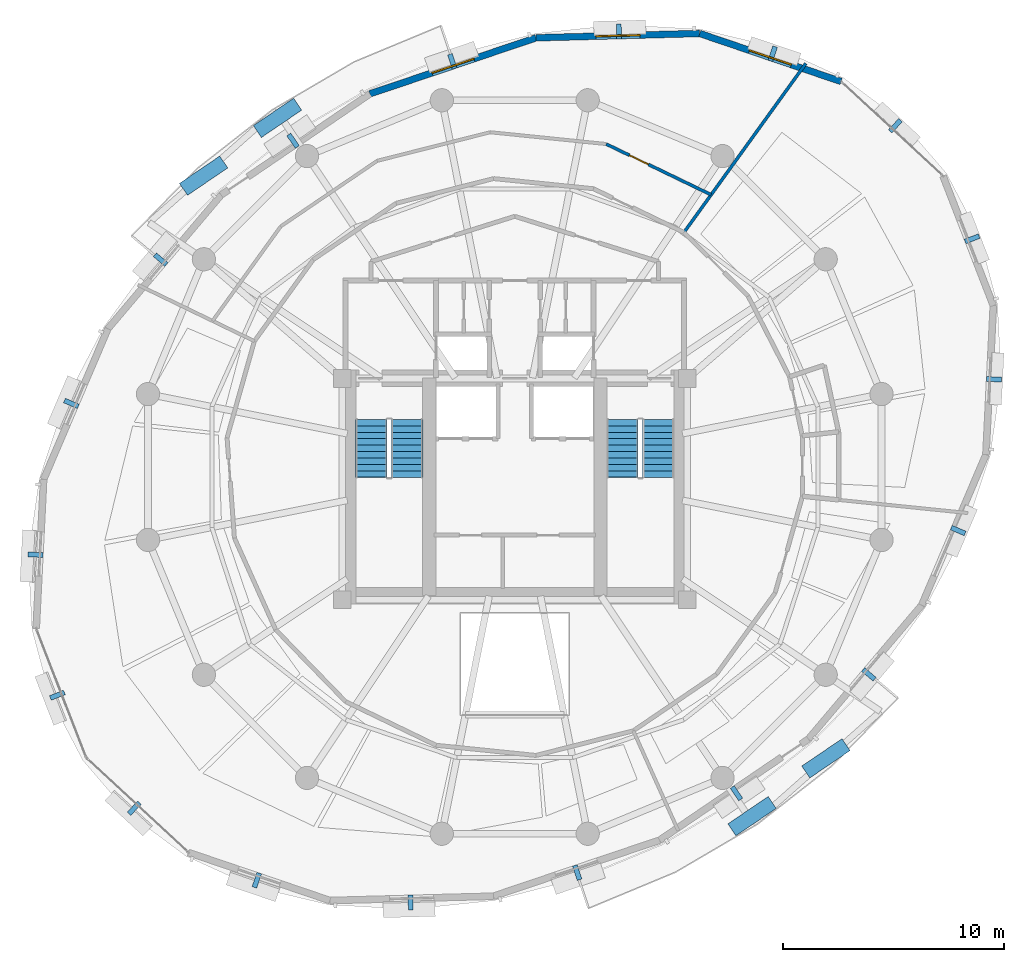
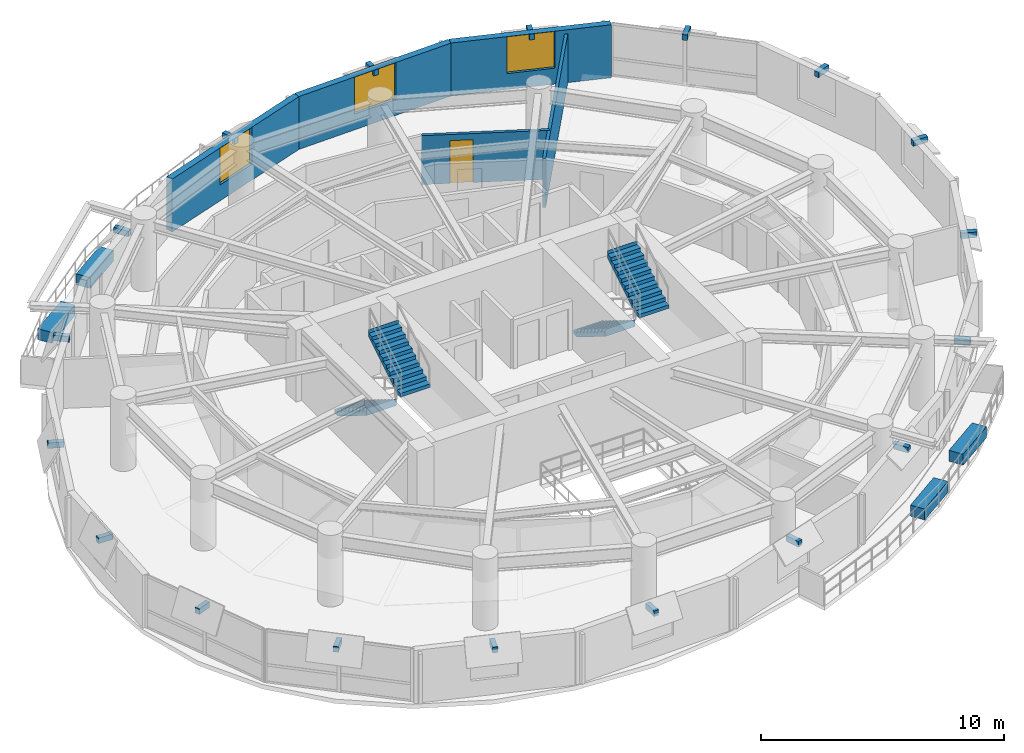
# One storey, part 10 of 12: 22 discrete accessories, 5 walls, 4 stair flights, 3 windows, 1 door, 4 openings, 2 elements without a shape of their own.
"""IFC4 building model written with IfcOpenShell, lengths in metres."""

from ifc_helpers import new_model, si_unit, direction, frame, frame_2d, origin, origin_2d, place, context, subcontext, project, spatial, polyline, rectangle, outline, extrude, material, layer, layer_set, type_object, element, fill, aggregate, save


model = new_model("IFC4")

# Units and contexts
model_context = context("Model", 3, precision=1e-05, world=origin(), true_north=direction((0.0, 1.0)))
body_context = subcontext(model_context, "Body", "Model", "MODEL_VIEW")
ifc_project = project(units=[si_unit("LENGTHUNIT", "METRE"), si_unit("AREAUNIT", "SQUARE_METRE"), si_unit("VOLUMEUNIT", "CUBIC_METRE"), si_unit("PLANEANGLEUNIT", "RADIAN"), si_unit("MASSUNIT", "GRAM", prefix="KILO"), si_unit("THERMODYNAMICTEMPERATUREUNIT", "KELVIN"), si_unit("POWERUNIT", "WATT")], contexts=[model_context])

# Site, building, storey
site_placement = place(None, origin())
site = spatial("IfcSite", under=ifc_project, at=site_placement, CompositionType="ELEMENT")
building_placement = place(site_placement, origin())
building = spatial("IfcBuilding", under=site, at=building_placement, Name="Ocrelia Relay Tower", CompositionType="ELEMENT")
storey_placement = place(building_placement, frame((0.0, 0.0, 177.199951171875)))
storey = spatial("IfcBuildingStorey", under=building, at=storey_placement, Name="L42", CompositionType="ELEMENT", Elevation=177.199951171875)

# Wall, opening, window
ifc_material_1 = material(Name="Precast concrete C40/50 with oxide terracotta", Category="masonry")
ifc_layer_1 = layer(ifc_material_1, 0.300048828125, Name="Precast concrete C40/50 with oxide terracotta")
ifc_layer_set_1 = layer_set([ifc_layer_1], Name="Precast concrete C40/50 with oxide terracotta")
wall_type_1 = type_object("IfcWallType", Name="W-EXT-TERR-300", PredefinedType="SOLIDWALL", material=ifc_layer_set_1)
wall_1_placement = place(storey_placement, frame((48.745361328125, 43.423095703125, 0.0), z_axis=(0.0, 0.0, 1.0), x_axis=(-0.946902174018, 0.321521807721, 0.0)))
wall_1 = element("IfcWall", 1, at=wall_1_placement, inside=storey, type_object=wall_type_1, Name="L42 Oxide Terracotta Facade Wall 02", PredefinedType="SOLIDWALL", context=body_context, shape_type="SweptSolid", body=[
    extrude(rectangle(XDim=6.7451171875, YDim=0.300048828125, at=frame_2d((3.37255859375, 0.0))), origin(), (0.0, 0.0, 1.0), 2.66015625),
])
opening_1_placement = place(wall_1_placement, frame((2.373046875, 0.0, 0.800048828125)))
opening_1 = element("IfcOpeningElement", 2, at=opening_1_placement, cuts=wall_1, Name="Opening W-03", PredefinedType="OPENING", context=body_context, shape_type="SweptSolid", body=[
    extrude(rectangle(XDim=2.0, YDim=1.85009765625, at=frame_2d((1.0, 0.925048828125))), frame((0.0, 0.16015625, 0.0), z_axis=(0.0, -1.0, 0.0), x_axis=(1.0, 0.0, 0.0)), (0.0, 0.0, 1.0), 0.320068359375),
])
ifc_material_2 = material(Name="Clear double-glazed low-E glass", Category="glass")
window_type = type_object("IfcWindowType", Name="WIN-Z3-2000x2200", PartitioningType="DOUBLE_PANEL_VERTICAL", PredefinedType="WINDOW", material=ifc_material_2)
window_1_placement = place(opening_1_placement, origin())
window_1 = element("IfcWindow", 3, at=window_1_placement, inside=storey, type_object=window_type, Name="L42 Facade Module Window 02", OverallHeight=1.85009765625, OverallWidth=2.0, PartitioningType="SINGLE_PANEL", PredefinedType="WINDOW", context=body_context, shape_type="SweptSolid", body=[
    extrude(rectangle(XDim=2.0, YDim=1.85009765625, at=frame_2d((1.0, 0.925048828125))), frame((0.0, 0.030029296875, 0.0), z_axis=(0.0, -1.0, 0.0), x_axis=(1.0, 0.0, 0.0)), (0.0, 0.0, 1.0), 0.06005859375),
])
fill(opening_1, window_1)

wall_2_placement = place(storey_placement, frame((42.3583984375, 45.591796875, 0.0), z_axis=(0.0, 0.0, 1.0), x_axis=(-0.999655744088, -0.026237250464, 0.0)))
wall_2 = element("IfcWall", 4, at=wall_2_placement, inside=storey, type_object=wall_type_1, Name="L42 Oxide Terracotta Facade Wall 03", PredefinedType="SOLIDWALL", context=body_context, shape_type="SweptSolid", body=[
    extrude(rectangle(XDim=7.3974609375, YDim=0.300048828125, at=frame_2d((3.69873046875, 0.0))), origin(), (0.0, 0.0, 1.0), 2.66015625),
])
opening_2_placement = place(wall_2_placement, frame((2.698974609375, 0.0, 0.800048828125)))
opening_2 = element("IfcOpeningElement", 5, at=opening_2_placement, cuts=wall_2, Name="Opening W-03", PredefinedType="OPENING", context=body_context, shape_type="SweptSolid", body=[
    extrude(rectangle(XDim=2.0, YDim=1.85009765625, at=frame_2d((1.0, 0.925048828125))), frame((0.0, 0.16015625, 0.0), z_axis=(0.0, -1.0, 0.0), x_axis=(1.0, 0.0, 0.0)), (0.0, 0.0, 1.0), 0.320068359375),
])
window_2_placement = place(opening_2_placement, origin())
window_2 = element("IfcWindow", 6, at=window_2_placement, inside=storey, type_object=window_type, Name="L42 Facade Module Window 03", OverallHeight=1.85009765625, OverallWidth=2.0, PartitioningType="SINGLE_PANEL", PredefinedType="WINDOW", context=body_context, shape_type="SweptSolid", body=[
    extrude(rectangle(XDim=2.0, YDim=1.85009765625, at=frame_2d((1.0, 0.925048828125))), frame((0.0, 0.030029296875, 0.0), z_axis=(0.0, -1.0, 0.0), x_axis=(1.0, 0.0, 0.0)), (0.0, 0.0, 1.0), 0.06005859375),
])
fill(opening_2, window_2)

wall_3_placement = place(storey_placement, frame((34.96337890625, 45.397705078125, 0.0), z_axis=(0.0, 0.0, 1.0), x_axis=(-0.9475313485, -0.319662859291, 0.0)))
wall_3 = element("IfcWall", 7, at=wall_3_placement, inside=storey, type_object=wall_type_1, Name="L42 Oxide Terracotta Facade Wall 04", PredefinedType="SOLIDWALL", context=body_context, shape_type="SweptSolid", body=[
    extrude(rectangle(XDim=7.927001953125, YDim=0.300048828125, at=frame_2d((3.96337890625, 0.0))), origin(), (0.0, 0.0, 1.0), 2.66015625),
])
opening_3_placement = place(wall_3_placement, frame((2.964111328125, 0.0, 0.800048828125)))
opening_3 = element("IfcOpeningElement", 8, at=opening_3_placement, cuts=wall_3, Name="Opening W-03", PredefinedType="OPENING", context=body_context, shape_type="SweptSolid", body=[
    extrude(rectangle(XDim=2.0, YDim=1.85009765625, at=frame_2d((1.0, 0.925048828125))), frame((0.0, 0.16015625, 0.0), z_axis=(0.0, -1.0, 0.0), x_axis=(1.0, 0.0, 0.0)), (0.0, 0.0, 1.0), 0.320068359375),
])
window_3_placement = place(opening_3_placement, origin())
window_3 = element("IfcWindow", 9, at=window_3_placement, inside=storey, type_object=window_type, Name="L42 Facade Module Window 04", OverallHeight=1.85009765625, OverallWidth=2.0, PartitioningType="SINGLE_PANEL", PredefinedType="WINDOW", context=body_context, shape_type="SweptSolid", body=[
    extrude(rectangle(XDim=2.0, YDim=1.85009765625, at=frame_2d((1.0, 0.925048828125))), frame((0.0, 0.030029296875, 0.0), z_axis=(0.0, -1.0, 0.0), x_axis=(1.0, 0.0, 0.0)), (0.0, 0.0, 1.0), 0.06005859375),
])
fill(opening_3, window_3)

# Wall
ifc_material_3 = material(Name="Acoustic Fireboard Partition EI60", Category="gypsum")
ifc_layer_2 = layer(ifc_material_3, 0.139892578125, Name="Acoustic Fireboard Partition EI60")
ifc_layer_set_2 = layer_set([ifc_layer_2], Name="Acoustic Fireboard Partition EI60")
wall_type_2 = type_object("IfcWallType", Name="W-PART-140", PredefinedType="PARTITIONING", material=ifc_layer_set_2)
wall_4_placement = place(storey_placement, frame((41.6455078125, 36.6005859375, 0.0), z_axis=(0.0, 0.0, 1.0), x_axis=(0.584952729626, 0.811067385673, 0.0)))
element("IfcWall", 10, at=wall_4_placement, inside=storey, type_object=wall_type_2, Name="L42 Project Meeting Room Radial Partition", PredefinedType="PARTITIONING", context=body_context, shape_type="SweptSolid", body=[
    extrude(rectangle(XDim=9.416259765625, YDim=0.139892578125, at=frame_2d((4.7080078125, 0.0))), origin(), (0.0, 0.0, 1.0), 2.4599609375),
])

# Wall, opening, door
wall_5_placement = place(storey_placement, frame((42.873779296875, 38.3037109375, 0.0), z_axis=(0.0, 0.0, 1.0), x_axis=(-0.900316268351, 0.435236277144, 0.0)))
wall_5 = element("IfcWall", 11, at=wall_5_placement, inside=storey, type_object=wall_type_2, Name="L42 Perimeter Cybersecurity Conference Room Mid-Ring Partition 1", PredefinedType="PARTITIONING", context=body_context, shape_type="SweptSolid", body=[
    extrude(rectangle(XDim=5.268310546875, YDim=0.139892578125, at=frame_2d((2.63427734375, 0.0))), origin(), (0.0, 0.0, 1.0), 2.4599609375),
])
opening_4_placement = place(wall_5_placement, frame((3.14892578125, 0.0, 0.0)))
opening_4 = element("IfcOpeningElement", 12, at=opening_4_placement, cuts=wall_5, Name="Opening D-RM95", PredefinedType="OPENING", context=body_context, shape_type="SweptSolid", body=[
    extrude(rectangle(XDim=0.949951171875, YDim=2.14990234375, at=frame_2d((0.47509765625, 1.074951171875))), frame((0.0, 0.080078125, 0.0), z_axis=(0.0, -1.0, 0.0), x_axis=(1.0, 0.0, 0.0)), (0.0, 0.0, 1.0), 0.159912109375),
])
ifc_material_4 = material(Name="Acoustic oak veneer fire door", Category="wood")
door_type = type_object("IfcDoorType", Name="DR-ROOM-950", OperationType="NOTDEFINED", PredefinedType="DOOR", material=ifc_material_4)
door_placement = place(opening_4_placement, origin())
door = element("IfcDoor", 13, at=door_placement, inside=storey, type_object=door_type, Name="L42 Perimeter Cybersecurity Conference Room Connecting Door", OperationType="SINGLE_SWING_LEFT", OverallHeight=2.14990234375, OverallWidth=0.949951171875, PredefinedType="DOOR", context=body_context, shape_type="SweptSolid", body=[
    extrude(rectangle(XDim=0.949951171875, YDim=2.14990234375, at=frame_2d((0.47509765625, 1.074951171875))), frame((0.0, 0.02490234375, 0.0), z_axis=(0.0, -1.0, 0.0), x_axis=(1.0, 0.0, 0.0)), (0.0, 0.0, 1.0), 0.050048828125),
])
fill(opening_4, door)

# Stair, stair flights
ifc_material_5 = material(Name="Concrete C50/60", Category="concrete")
stair_type = type_object("IfcStairType", Name="ST-DL-1420-R180", PredefinedType="HALF_TURN_STAIR", material=ifc_material_5)
stair_1_placement = place(storey_placement, origin())
stair_1 = element("IfcStair", 14, at=stair_1_placement, inside=storey, type_object=stair_type, Name="L42 West Core Exit Stair ST1", PredefinedType="HALF_TURN_STAIR")
stair_flight_type = type_object("IfcStairFlightType", Name="STF-DL-1420-R180", PredefinedType="STRAIGHT", material=ifc_material_5)
stair_flight_1_placement = place(storey_placement, frame((27.52001953125, 28.14990234375, 0.0), z_axis=(0.0, 0.0, 1.0), x_axis=(0.0, -1.0, 0.0)))
stair_flight_1 = element("IfcStairFlight", 15, at=stair_flight_1_placement, type_object=stair_flight_type, Name="ST1 flight 1", NumberOfRisers=10, NumberOfTreads=9, PredefinedType="STRAIGHT", RiserHeight=0.18, TreadLength=0.29, context=body_context, shape_type="SweptSolid", body=[
    extrude(outline(polyline([(-0.008056640625, 0.0), (-0.008056640625, 0.179931640625), (0.0, 0.179931640625), (0.2900390625, 0.179931640625), (0.2900390625, 0.360107421875), (0.580078125, 0.360107421875), (0.580078125, 0.5400390625), (0.8701171875, 0.5400390625), (0.8701171875, 0.719970703125), (1.159912109375, 0.719970703125), (1.159912109375, 0.89990234375), (1.449951171875, 0.89990234375), (1.449951171875, 1.080078125), (1.739990234375, 1.080078125), (1.739990234375, 1.260009765625), (2.030029296875, 1.260009765625), (2.030029296875, 1.43994140625), (2.320068359375, 1.43994140625), (2.320068359375, 1.6201171875), (2.610107421875, 1.6201171875), (2.610107421875, 1.800048828125), (2.617919921875, 1.800048828125), (2.617919921875, 1.443603515625), (0.2841796875, 0.0), (-0.008056640625, 0.0)])), frame((0.0, 0.7099609375, 0.0), z_axis=(0.0, -1.0, 0.0), x_axis=(1.0, 0.0, 0.0)), (0.0, 0.0, 1.0), 1.419921875),
])
stair_flight_2_placement = place(storey_placement, frame((29.139892578125, 25.5400390625, 1.800048828125), z_axis=(0.0, 0.0, 1.0), x_axis=(0.0, 1.0, 0.0)))
stair_flight_2 = element("IfcStairFlight", 16, at=stair_flight_2_placement, type_object=stair_flight_type, Name="ST1 flight 2", NumberOfRisers=10, NumberOfTreads=9, PredefinedType="STRAIGHT", RiserHeight=0.18, TreadLength=0.29, context=body_context, shape_type="SweptSolid", body=[
    extrude(outline(polyline([(-0.008056640625, 0.0), (-0.008056640625, 0.179931640625), (0.0, 0.179931640625), (0.2900390625, 0.179931640625), (0.2900390625, 0.360107421875), (0.580078125, 0.360107421875), (0.580078125, 0.5400390625), (0.8701171875, 0.5400390625), (0.8701171875, 0.719970703125), (1.159912109375, 0.719970703125), (1.159912109375, 0.89990234375), (1.449951171875, 0.89990234375), (1.449951171875, 1.080078125), (1.739990234375, 1.080078125), (1.739990234375, 1.260009765625), (2.030029296875, 1.260009765625), (2.030029296875, 1.43994140625), (2.320068359375, 1.43994140625), (2.320068359375, 1.6201171875), (2.610107421875, 1.6201171875), (2.610107421875, 1.800048828125), (2.617919921875, 1.800048828125), (2.617919921875, 1.443603515625), (0.2841796875, 0.0), (-0.008056640625, 0.0)])), frame((0.0, 0.7099609375, 0.0), z_axis=(0.0, -1.0, 0.0), x_axis=(1.0, 0.0, 0.0)), (0.0, 0.0, 1.0), 1.419921875),
])
aggregate(stair_1, [stair_flight_1, stair_flight_2])

stair_2_placement = place(storey_placement, origin())
stair_2 = element("IfcStair", 17, at=stair_2_placement, inside=storey, type_object=stair_type, Name="L42 East Core Exit Stair ST2", PredefinedType="HALF_TURN_STAIR")
stair_flight_3_placement = place(storey_placement, frame((38.8701171875, 28.14990234375, 0.0), z_axis=(0.0, 0.0, 1.0), x_axis=(0.0, -1.0, 0.0)))
stair_flight_3 = element("IfcStairFlight", 18, at=stair_flight_3_placement, type_object=stair_flight_type, Name="ST2 flight 1", NumberOfRisers=10, NumberOfTreads=9, PredefinedType="STRAIGHT", RiserHeight=0.18, TreadLength=0.29, context=body_context, shape_type="SweptSolid", body=[
    extrude(outline(polyline([(-0.008056640625, 0.0), (-0.008056640625, 0.179931640625), (0.0, 0.179931640625), (0.2900390625, 0.179931640625), (0.2900390625, 0.360107421875), (0.580078125, 0.360107421875), (0.580078125, 0.5400390625), (0.8701171875, 0.5400390625), (0.8701171875, 0.719970703125), (1.159912109375, 0.719970703125), (1.159912109375, 0.89990234375), (1.449951171875, 0.89990234375), (1.449951171875, 1.080078125), (1.739990234375, 1.080078125), (1.739990234375, 1.260009765625), (2.030029296875, 1.260009765625), (2.030029296875, 1.43994140625), (2.320068359375, 1.43994140625), (2.320068359375, 1.6201171875), (2.610107421875, 1.6201171875), (2.610107421875, 1.800048828125), (2.617919921875, 1.800048828125), (2.617919921875, 1.443603515625), (0.2841796875, 0.0), (-0.008056640625, 0.0)])), frame((0.0, 0.7099609375, 0.0), z_axis=(0.0, -1.0, 0.0), x_axis=(1.0, 0.0, 0.0)), (0.0, 0.0, 1.0), 1.419921875),
])
stair_flight_4_placement = place(storey_placement, frame((40.489990234375, 25.5400390625, 1.800048828125), z_axis=(0.0, 0.0, 1.0), x_axis=(0.0, 1.0, 0.0)))
stair_flight_4 = element("IfcStairFlight", 19, at=stair_flight_4_placement, type_object=stair_flight_type, Name="ST2 flight 2", NumberOfRisers=10, NumberOfTreads=9, PredefinedType="STRAIGHT", RiserHeight=0.18, TreadLength=0.29, context=body_context, shape_type="SweptSolid", body=[
    extrude(outline(polyline([(-0.008056640625, 0.0), (-0.008056640625, 0.179931640625), (0.0, 0.179931640625), (0.2900390625, 0.179931640625), (0.2900390625, 0.360107421875), (0.580078125, 0.360107421875), (0.580078125, 0.5400390625), (0.8701171875, 0.5400390625), (0.8701171875, 0.719970703125), (1.159912109375, 0.719970703125), (1.159912109375, 0.89990234375), (1.449951171875, 0.89990234375), (1.449951171875, 1.080078125), (1.739990234375, 1.080078125), (1.739990234375, 1.260009765625), (2.030029296875, 1.260009765625), (2.030029296875, 1.43994140625), (2.320068359375, 1.43994140625), (2.320068359375, 1.6201171875), (2.610107421875, 1.6201171875), (2.610107421875, 1.800048828125), (2.617919921875, 1.800048828125), (2.617919921875, 1.443603515625), (0.2841796875, 0.0), (-0.008056640625, 0.0)])), frame((0.0, 0.7099609375, 0.0), z_axis=(0.0, -1.0, 0.0), x_axis=(1.0, 0.0, 0.0)), (0.0, 0.0, 1.0), 1.419921875),
])
aggregate(stair_2, [stair_flight_3, stair_flight_4])

# Discrete accessories
ifc_material_6 = material(Name="Precast concrete C40/50 planter with highland greenery", Category="concrete")
discrete_accessory_type_1 = type_object("IfcDiscreteAccessoryType", Name="ACC-BALC-PLANTER", PredefinedType="USERDEFINED", material=ifc_material_6)
for number, where, z_axis, x_axis, name in (
    (20, (23.277099609375, 41.778564453125, 0.0), (0.0, 0.0, 1.0), (0.827082138234, 0.562081076549, 0.0), "L42 Balcony Terracotta Planter with Greenery B1"),
    (21, (19.938232421875, 39.16650390625, 0.0), (0.0, 0.0, 1.0), (0.827082138234, 0.562081076549, 0.0), "L42 Balcony Terracotta Planter B1-2"),
    (22, (44.722900390625, 10.221435546875, 0.0), (0.0, 0.0, 1.0), (-0.827082138234, -0.562081076549, 0.0), "L42 Balcony Terracotta Planter with Greenery B2"),
    (23, (48.061767578125, 12.83349609375, 0.0), (0.0, 0.0, 1.0), (-0.827082138234, -0.562081076549, 0.0), "L42 Balcony Terracotta Planter B2-2"),
):
    element("IfcDiscreteAccessory", number, at=place(storey_placement, frame(where, z_axis=z_axis, x_axis=x_axis)), inside=storey, type_object=discrete_accessory_type_1, Name=name, ObjectType="PLANTER", PredefinedType="USERDEFINED", context=body_context, shape_type="SweptSolid", body=[
        extrude(rectangle(XDim=2.199951171875, YDim=0.64990234375, at=origin_2d()), origin(), (0.0, 0.0, 1.0), 0.550048828125),
    ])
ifc_material_7 = material(Name="Steel S355", Category="steel")
discrete_accessory_type_2 = type_object("IfcDiscreteAccessoryType", Name="ACC-VISOR-BRACKET", PredefinedType="BRACKET", material=ifc_material_7)
for number, where, z_axis, x_axis, name in (
    (24, (51.198486328125, 41.42138671875, 2.35986328125), (0.0, 0.0, 1.0), (-0.733494357886, 0.679695539892, 0.0), "L42 Visor Mounting Bracket 01"),
    (25, (45.65771484375, 44.67724609375, 2.35986328125), (0.0, 0.0, 1.0), (-0.946896749251, 0.321537783561, 0.0), "L42 Visor Mounting Bracket 02"),
    (26, (38.70751953125, 45.689208984375, 2.35986328125), (0.0, 0.0, 1.0), (-0.999655358525, -0.026251936536, 0.0), "L42 Visor Mounting Bracket 03"),
    (27, (31.177490234375, 44.328369140625, 2.35986328125), (0.0, 0.0, 1.0), (-0.947535460994, -0.319650668948, 0.0), "L42 Visor Mounting Bracket 04"),
    (28, (23.97900390625, 40.745361328125, 2.35986328125), (0.0, 0.0, 1.0), (-0.827082100661, -0.562081131836, 0.0), "L42 Visor Mounting Bracket 05"),
    (29, (17.997802734375, 35.37158203125, 2.35986328125), (0.0, 0.0, 1.0), (-0.646010098491, -0.763328862711, 0.0), "L42 Visor Mounting Bracket 06"),
    (30, (13.96044921875, 28.87109375, 2.35986328125), (0.0, 0.0, 1.0), (-0.392412915575, -0.919789162629, 0.0), "L42 Visor Mounting Bracket 07"),
    (31, (12.343017578125, 22.036376953125, 2.35986328125), (0.0, 0.0, 1.0), (-0.049607084191, -0.998768810685, 0.0), "L42 Visor Mounting Bracket 08"),
    (32, (13.330322265625, 15.686279296875, 2.35986328125), (0.0, 0.0, 1.0), (0.361942340578, -0.932200483854, 0.0), "L42 Visor Mounting Bracket 09"),
    (33, (16.801513671875, 10.57861328125, 2.35986328125), (0.0, 0.0, 1.0), (0.733494357886, -0.679695539892, 0.0), "L42 Visor Mounting Bracket 10"),
    (34, (22.34228515625, 7.32275390625, 2.35986328125), (0.0, 0.0, 1.0), (0.946896749251, -0.321537783561, 0.0), "L42 Visor Mounting Bracket 11"),
    (35, (29.29248046875, 6.310791015625, 2.35986328125), (0.0, 0.0, 1.0), (0.999655358525, 0.026251936536, 0.0), "L42 Visor Mounting Bracket 12"),
    (36, (36.822509765625, 7.671630859375, 2.35986328125), (0.0, 0.0, 1.0), (0.947535460994, 0.319650668948, 0.0), "L42 Visor Mounting Bracket 13"),
    (37, (44.02099609375, 11.254638671875, 2.35986328125), (0.0, 0.0, 1.0), (0.827082100661, 0.562081131836, 0.0), "L42 Visor Mounting Bracket 14"),
    (38, (50.002197265625, 16.62841796875, 2.35986328125), (0.0, 0.0, 1.0), (0.646010098491, 0.763328862711, 0.0), "L42 Visor Mounting Bracket 15"),
    (39, (54.03955078125, 23.12890625, 2.35986328125), (0.0, 0.0, 1.0), (0.392412915575, 0.919789162629, 0.0), "L42 Visor Mounting Bracket 16"),
    (40, (55.656982421875, 29.963623046875, 2.35986328125), (0.0, 0.0, 1.0), (0.049607084191, 0.998768810685, 0.0), "L42 Visor Mounting Bracket 17"),
    (41, (54.669677734375, 36.313720703125, 2.35986328125), (0.0, 0.0, 1.0), (-0.361942340578, 0.932200483854, 0.0), "L42 Visor Mounting Bracket 18"),
):
    element("IfcDiscreteAccessory", number, at=place(storey_placement, frame(where, z_axis=z_axis, x_axis=x_axis)), inside=storey, type_object=discrete_accessory_type_2, Name=name, PredefinedType="BRACKET", context=body_context, shape_type="SweptSolid", body=[
        extrude(rectangle(XDim=0.219970703125, YDim=0.679931640625, at=origin_2d()), origin(), (0.0, 0.0, 1.0), 0.280029296875),
    ])

save(model, "model.ifc")
